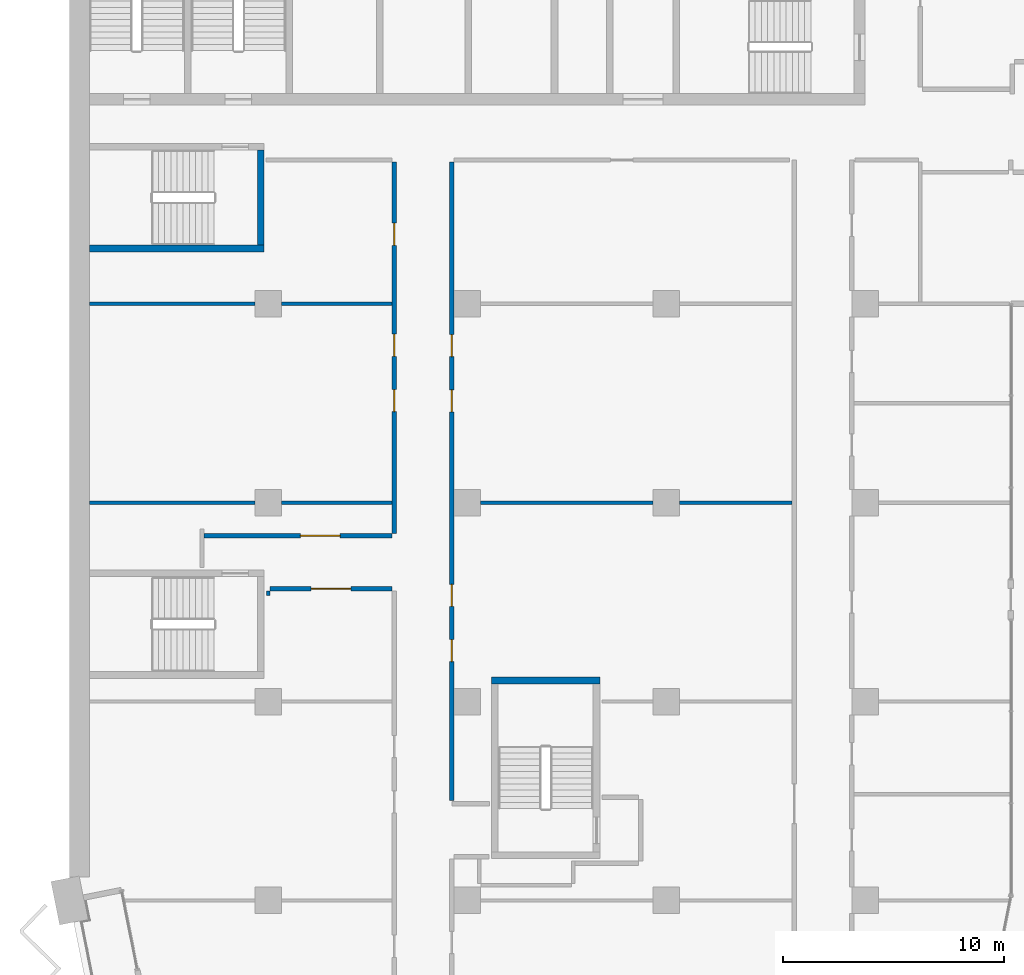
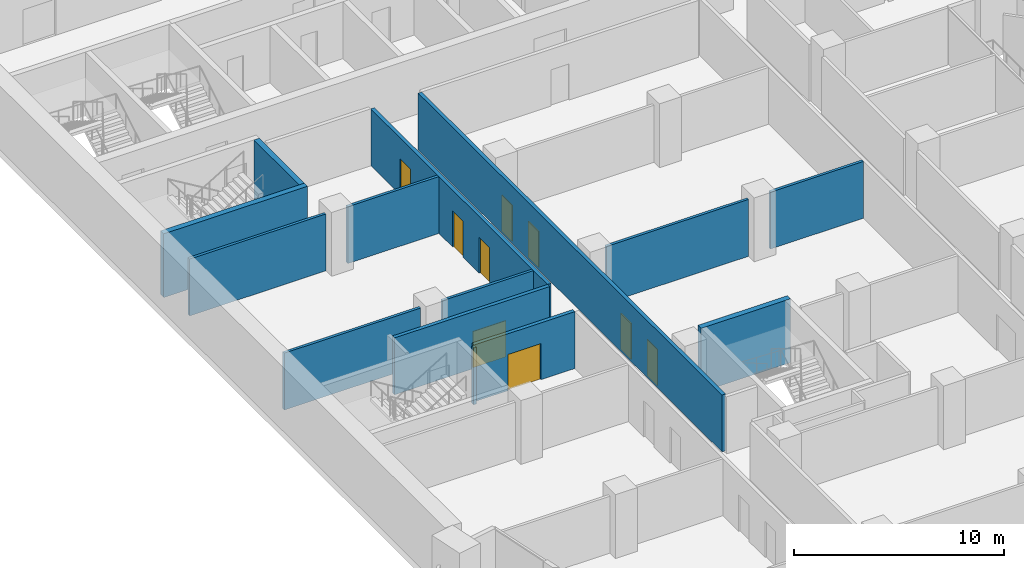
# One storey, part 10 of 22: 14 walls, 9 doors, 9 openings.
"""IFC4 building model written with IfcOpenShell, lengths in metres."""

import ifcopenshell
import ifcopenshell.guid

model = None  # the IFC model being written
_history = None  # IfcOwnerHistory: only IFC2X3 demands one
_inside = {}  # id of a spatial element -> (the spatial element, [elements in it])
_under = {}  # id of a project, library or spatial element -> (it, [spatial elements below it])
_declared = {}  # id of a project -> (the project, [libraries it declares])
_typed = {}  # id of a type object -> (the type object, [elements of that type])
_made_of = {}  # id of a material, layer set ... -> (it, [elements and type objects made of it])


def new_model(schema):
    """Start an empty IFC model of exactly this schema.

    Asked for "IFC4X3", IfcOpenShell would pick the latest addendum, in which some entities
    have other attributes; the version numbers below select the first issue.
    IFC2X3 requires an IfcOwnerHistory on every rooted entity: one is made here for all.
    """
    global model, _history
    if schema == "IFC4X3":
        model = ifcopenshell.file(schema_version=(4, 3, 0, 0))
    else:
        model = ifcopenshell.file(schema=schema)
    _inside.clear()
    _under.clear()
    _declared.clear()
    _typed.clear()
    _made_of.clear()
    _history = None
    if model.schema == "IFC2X3":
        org = make("IfcOrganization", Name="unknown")
        user = make(
            "IfcPersonAndOrganization",
            ThePerson=make("IfcPerson", FamilyName="unknown"),
            TheOrganization=org,
        )
        app = make(
            "IfcApplication",
            ApplicationDeveloper=org,
            Version="unknown",
            ApplicationFullName="unknown",
            ApplicationIdentifier="unknown",
        )
        _history = make(
            "IfcOwnerHistory",
            OwningUser=user,
            OwningApplication=app,
            ChangeAction="ADDED",
            CreationDate=0,
        )
    return model


def make(cls, **values):
    """One entity of the class cls with the attributes given. An attribute that is None is left unset."""
    return model.create_entity(
        cls, **{name: value for name, value in values.items() if value is not None}
    )


def rooted(cls, **values):
    """An entity with a GlobalId (a new one), such as an element, a storey or a relation."""
    return make(cls, GlobalId=ifcopenshell.guid.new(), OwnerHistory=_history, **values)


def si_unit(unit_type, name, prefix=None):
    """IfcSIUnit, for example si_unit("LENGTHUNIT", "METRE", prefix="MILLI")."""
    return make("IfcSIUnit", UnitType=unit_type, Prefix=prefix, Name=name)


def assignment(units):
    """IfcUnitAssignment: the units of a project."""
    return None if units is None else make("IfcUnitAssignment", Units=units)


def point(xyz):
    """IfcCartesianPoint."""
    return None if xyz is None else make("IfcCartesianPoint", Coordinates=xyz)


def direction(xyz):
    """IfcDirection."""
    return None if xyz is None else make("IfcDirection", DirectionRatios=xyz)


def frame(location, z_axis=None, x_axis=None):
    """IfcAxis2Placement3D, a coordinate frame: its origin and axes. An axis left out is left unset."""
    return make(
        "IfcAxis2Placement3D",
        Location=point(location),
        Axis=direction(z_axis),
        RefDirection=direction(x_axis),
    )


def frame_2d(location, x_axis=None):
    """IfcAxis2Placement2D, a coordinate frame in the plane: its origin and x axis."""
    return make(
        "IfcAxis2Placement2D", Location=point(location), RefDirection=direction(x_axis)
    )


def origin():
    """The frame at (0, 0, 0) with its axes left unset."""
    return frame((0.0, 0.0, 0.0))


def place(relative_to, where):
    """IfcLocalPlacement: puts the frame where relative to a parent placement (None: the world)."""
    return make(
        "IfcLocalPlacement", PlacementRelTo=relative_to, RelativePlacement=where
    )


def context(
    kind, dimensions, precision=None, world=None, true_north=None, identifier=None
):
    """IfcGeometricRepresentationContext, for example the 3D "Model" context."""
    return make(
        "IfcGeometricRepresentationContext",
        ContextIdentifier=identifier,
        ContextType=kind,
        CoordinateSpaceDimension=dimensions,
        Precision=precision,
        WorldCoordinateSystem=world,
        TrueNorth=true_north,
    )


def subcontext(parent, identifier, kind, view, scale=None):
    """IfcGeometricRepresentationSubContext, for example "Body" below "Model"."""
    return make(
        "IfcGeometricRepresentationSubContext",
        ContextIdentifier=identifier,
        ContextType=kind,
        ParentContext=parent,
        TargetScale=scale,
        TargetView=view,
    )


def project(units=None, contexts=None):
    """IfcProject with its units and contexts."""
    return rooted(
        "IfcProject",
        Name="project",
        RepresentationContexts=contexts,
        UnitsInContext=assignment(units),
    )


def spatial(cls, under=None, at=None, **own):
    """A site, building, storey or space (cls), placed at a placement, below another one or the project."""
    s = rooted(cls, ObjectPlacement=at, **own)
    if under is not None:
        _under.setdefault(under.id(), (under, []))[1].append(s)
    return s


def profile(cls, at=None, kind="AREA", **sizes):
    """A parametric profile (cls). Its sizes go by their IFC names, for example OverallWidth=200.0."""
    return make(cls, ProfileType=kind, Position=at, **sizes)


def rectangle(**sizes):
    """IfcRectangleProfileDef."""
    return profile("IfcRectangleProfileDef", **sizes)


def extrude(swept, where, along, depth):
    """IfcExtrudedAreaSolid: the profile swept, set in the frame where, extruded along a direction by depth."""
    return make(
        "IfcExtrudedAreaSolid",
        SweptArea=swept,
        Position=where,
        ExtrudedDirection=direction(along),
        Depth=depth,
    )


def shape(context_of_items, identifier, shape_type, items):
    """IfcShapeRepresentation: the items that make up one representation, for example the "Body"."""
    return make(
        "IfcShapeRepresentation",
        ContextOfItems=context_of_items,
        RepresentationIdentifier=identifier,
        RepresentationType=shape_type,
        Items=items,
    )


def material(Name=None, Category=None):
    """IfcMaterial."""
    return make("IfcMaterial", Name=Name, Category=Category)


def layer(
    of_material, thickness, ventilated=None, Name=None, Category=None, Priority=None
):
    """IfcMaterialLayer: one layer of a wall or slab, of a material (None: an air gap)."""
    return make(
        "IfcMaterialLayer",
        Material=of_material,
        LayerThickness=thickness,
        IsVentilated=ventilated,
        Name=Name,
        Category=Category,
        Priority=Priority,
    )


def layer_set(layers, Name=None):
    """IfcMaterialLayerSet."""
    return make("IfcMaterialLayerSet", MaterialLayers=layers, LayerSetName=Name)


def made_of(thing, what):
    """Note that an element or type object is made of a material, layer set ...; save() writes the relation."""
    if what is not None:
        _made_of.setdefault(what.id(), (what, []))[1].append(thing)
    return thing


def type_object(cls, material=None, **own):
    """A type object (cls), such as IfcWallType, which elements share."""
    return made_of(rooted(cls, **own), material)


def element(
    cls,
    number,
    at=None,
    inside=None,
    cuts=None,
    type_object=None,
    material=None,
    context=None,
    identifier="Body",
    shape_type=None,
    held_by="IfcProductDefinitionShape",
    body=None,
    shapes=None,
    **own,
):
    """One element of the class cls, such as IfcWall. Its Tag is "e" and its number.

    at: its placement. inside: the storey or other place that contains it. cuts: it is an
    opening in that element (IfcRelVoidsElement). A single representation is given by context,
    identifier, shape_type and body (its items); several are given by shapes. held_by: the class
    of the entity that holds the representations. save() writes the other relations.
    """
    e = rooted(cls, Tag="e%d" % number, ObjectPlacement=at, **own)
    if body is not None:
        shapes = [shape(context, identifier, shape_type, body)]
    if shapes is not None:
        e.Representation = make(held_by, Representations=shapes)
    if inside is not None:
        _inside.setdefault(inside.id(), (inside, []))[1].append(e)
    if cuts is not None:
        rooted(
            "IfcRelVoidsElement", RelatingBuildingElement=cuts, RelatedOpeningElement=e
        )
    if type_object is not None:
        _typed.setdefault(type_object.id(), (type_object, []))[1].append(e)
    return made_of(e, material)


def fill(opening, filler):
    """IfcRelFillsElement: the door or window that sits in an opening."""
    return rooted(
        "IfcRelFillsElement",
        RelatingOpeningElement=opening,
        RelatedBuildingElement=filler,
    )


def aggregate(whole, parts):
    """IfcRelAggregates: a whole, such as a stair, and the parts it consists of."""
    return rooted("IfcRelAggregates", RelatingObject=whole, RelatedObjects=parts)


def save(model, path):
    """Write the relations noted so far, then the file.

    IfcRelAggregates (storeys below a building ...), IfcRelContainedInSpatialStructure (elements
    in a storey), IfcRelDefinesByType, IfcRelAssociatesMaterial and IfcRelDeclares: one each for
    every whole, place, type object, material and project.
    """
    for whole, parts in _under.values():
        aggregate(whole, parts)
    for where, things in _inside.values():
        rooted(
            "IfcRelContainedInSpatialStructure",
            RelatedElements=things,
            RelatingStructure=where,
        )
    for kind, things in _typed.values():
        rooted("IfcRelDefinesByType", RelatedObjects=things, RelatingType=kind)
    for what, things in _made_of.values():
        rooted("IfcRelAssociatesMaterial", RelatedObjects=things, RelatingMaterial=what)
    for by, libraries in _declared.values():
        rooted("IfcRelDeclares", RelatingContext=by, RelatedDefinitions=libraries)
    model.write(path)


model = new_model("IFC4")

# Units and contexts
model_context = context("Model", 3, precision=1e-05, world=origin(), true_north=direction((0.0, 1.0)))
body_context = subcontext(model_context, "Body", "Model", "MODEL_VIEW")
ifc_project = project(units=[si_unit("LENGTHUNIT", "METRE"), si_unit("AREAUNIT", "SQUARE_METRE"), si_unit("VOLUMEUNIT", "CUBIC_METRE"), si_unit("PLANEANGLEUNIT", "RADIAN"), si_unit("MASSUNIT", "GRAM", prefix="KILO")], contexts=[model_context])

# Site, building, storey
site_placement = place(None, origin())
site = spatial("IfcSite", under=ifc_project, at=site_placement, CompositionType="ELEMENT")
building_placement = place(site_placement, origin())
building = spatial("IfcBuilding", under=site, at=building_placement, Name="Hunhe Ridgeline Campus", CompositionType="ELEMENT")
storey_placement = place(building_placement, frame((0.0, 0.0, 133.800048828125)))
storey = spatial("IfcBuildingStorey", under=building, at=storey_placement, Name="L33", CompositionType="ELEMENT", Elevation=133.800048828125)

# Wall, opening, door
ifc_material_1 = material(Name="Gypsum board partition")
ifc_layer_1 = layer(ifc_material_1, 0.199951171875)
ifc_layer_set_1 = layer_set([ifc_layer_1], Name="Corridor partition 200 gypsum board on steel studs")
wall_type_1 = type_object("IfcWallType", Name="Corridor partition 200 gypsum board on steel studs", PredefinedType="PARTITIONING", material=ifc_layer_set_1)
wall_1_placement = place(storey_placement, frame((14.60009765625, 41.10009765625, 0.0), z_axis=(0.0, 0.0, 1.0), x_axis=(-1.0, 0.0, 0.0)))
wall_1 = element("IfcWall", 1, at=wall_1_placement, inside=storey, type_object=wall_type_1, Name="F-L33-wall-023", PredefinedType="PARTITIONING", context=body_context, shape_type="SweptSolid", body=[
    extrude(rectangle(XDim=5.525146484375, YDim=0.199951171875, at=frame_2d((2.7626953125, 0.0))), origin(), (0.0, 0.0, 1.0), 3.300048828125),
])
opening_1_placement = place(wall_1_placement, frame((1.862548828125, 0.0, 0.0)))
opening_1 = element("IfcOpeningElement", 2, at=opening_1_placement, cuts=wall_1, Name="Opening RD2-019", PredefinedType="OPENING", context=body_context, shape_type="SweptSolid", body=[
    extrude(rectangle(XDim=1.800048828125, YDim=2.10009765625, at=frame_2d((0.89990234375, 1.050048828125))), frame((0.0, 0.10009765625, 0.0), z_axis=(0.0, -1.0, 0.0), x_axis=(1.0, 0.0, 0.0)), (0.0, 0.0, 1.0), 0.199951171875),
])
ifc_material_2 = material(Name="Timber door leaf", Category="wood")
door_type_1 = type_object("IfcDoorType", Name="Double fire door 1800x2100 timber FD60", OperationType="DOUBLE_DOOR_SINGLE_SWING", PredefinedType="DOOR", material=ifc_material_2)
door_1_placement = place(opening_1_placement, origin())
door_1 = element("IfcDoor", 3, at=door_1_placement, inside=storey, type_object=door_type_1, Name="F-L33-door-019", OperationType="DOUBLE_DOOR_SINGLE_SWING", OverallHeight=2.10009765625, OverallWidth=1.800048828125, PredefinedType="DOOR", context=body_context, shape_type="SweptSolid", body=[
    extrude(rectangle(XDim=1.800048828125, YDim=2.10009765625, at=frame_2d((0.89990234375, 1.050048828125))), frame((0.0, 0.02490234375, 0.0), z_axis=(0.0, -1.0, 0.0), x_axis=(1.0, 0.0, 0.0)), (0.0, 0.0, 1.0), 0.050048828125),
])
fill(opening_1, door_1)

wall_2_placement = place(storey_placement, frame((6.10009765625, 43.5, 0.0), z_axis=(0.0, 0.0, 1.0), x_axis=(1.0, 0.0, 0.0)))
wall_2 = element("IfcWall", 4, at=wall_2_placement, inside=storey, type_object=wall_type_1, Name="F-L33-wall-024", PredefinedType="PARTITIONING", context=body_context, shape_type="SweptSolid", body=[
    extrude(rectangle(XDim=8.5, YDim=0.199951171875, at=frame_2d((4.25, 0.0))), origin(), (0.0, 0.0, 1.0), 3.300048828125),
])
opening_2_placement = place(wall_2_placement, frame((4.35009765625, 0.0, 0.0)))
opening_2 = element("IfcOpeningElement", 5, at=opening_2_placement, cuts=wall_2, Name="Opening RD2-020", PredefinedType="OPENING", context=body_context, shape_type="SweptSolid", body=[
    extrude(rectangle(XDim=1.800048828125, YDim=2.10009765625, at=frame_2d((0.89990234375, 1.050048828125))), frame((0.0, 0.10009765625, 0.0), z_axis=(0.0, -1.0, 0.0), x_axis=(1.0, 0.0, 0.0)), (0.0, 0.0, 1.0), 0.199951171875),
])
door_2_placement = place(opening_2_placement, origin())
door_2 = element("IfcDoor", 6, at=door_2_placement, inside=storey, type_object=door_type_1, Name="F-L33-door-020", OperationType="DOUBLE_DOOR_SINGLE_SWING", OverallHeight=2.10009765625, OverallWidth=1.800048828125, PredefinedType="DOOR", context=body_context, shape_type="SweptSolid", body=[
    extrude(rectangle(XDim=1.800048828125, YDim=2.10009765625, at=frame_2d((0.89990234375, 1.050048828125))), frame((0.0, 0.02490234375, 0.0), z_axis=(0.0, -1.0, 0.0), x_axis=(1.0, 0.0, 0.0)), (0.0, 0.0, 1.0), 0.050048828125),
])
fill(opening_2, door_2)

# Wall, openings, doors
wall_3_placement = place(storey_placement, frame((14.699951171875, 43.60009765625, 0.0), z_axis=(0.0, 0.0, 1.0), x_axis=(0.0, 1.0, 0.0)))
wall_3 = element("IfcWall", 7, at=wall_3_placement, inside=storey, type_object=wall_type_1, Name="F-L33-wall-062", PredefinedType="PARTITIONING", context=body_context, shape_type="SweptSolid", body=[
    extrude(rectangle(XDim=16.7998046875, YDim=0.199951171875, at=frame_2d((8.39990234375, 0.0))), origin(), (0.0, 0.0, 1.0), 3.300048828125),
])
opening_3_placement = place(wall_3_placement, frame((5.517822265625, 0.0, 0.0)))
opening_3 = element("IfcOpeningElement", 8, at=opening_3_placement, cuts=wall_3, Name="Opening RD1-022", PredefinedType="OPENING", context=body_context, shape_type="SweptSolid", body=[
    extrude(rectangle(XDim=1.0, YDim=2.10009765625, at=frame_2d((0.5, 1.050048828125))), frame((0.0, 0.10009765625, 0.0), z_axis=(0.0, -1.0, 0.0), x_axis=(1.0, 0.0, 0.0)), (0.0, 0.0, 1.0), 0.199951171875),
])
opening_4_placement = place(wall_3_placement, frame((8.017822265625, 0.0, 0.0)))
opening_4 = element("IfcOpeningElement", 9, at=opening_4_placement, cuts=wall_3, Name="Opening RD1-025", PredefinedType="OPENING", context=body_context, shape_type="SweptSolid", body=[
    extrude(rectangle(XDim=1.0, YDim=2.10009765625, at=frame_2d((0.5, 1.050048828125))), frame((0.0, 0.10009765625, 0.0), z_axis=(0.0, -1.0, 0.0), x_axis=(1.0, 0.0, 0.0)), (0.0, 0.0, 1.0), 0.199951171875),
])
opening_5_placement = place(wall_3_placement, frame((13.040283203125, 0.0, 0.0)))
opening_5 = element("IfcOpeningElement", 10, at=opening_5_placement, cuts=wall_3, Name="Opening RD1-027", PredefinedType="OPENING", context=body_context, shape_type="SweptSolid", body=[
    extrude(rectangle(XDim=1.0, YDim=2.10009765625, at=frame_2d((0.5, 1.050048828125))), frame((0.0, 0.10009765625, 0.0), z_axis=(0.0, -1.0, 0.0), x_axis=(1.0, 0.0, 0.0)), (0.0, 0.0, 1.0), 0.199951171875),
])
door_type_2 = type_object("IfcDoorType", Name="Single fire door 1000x2100 timber FD60", OperationType="NOTDEFINED", PredefinedType="DOOR", material=ifc_material_2)
door_3_placement = place(opening_3_placement, frame((1.0, 0.0, 0.0), z_axis=(0.0, 0.0, 1.0), x_axis=(-1.0, 0.0, 0.0)))
door_3 = element("IfcDoor", 11, at=door_3_placement, inside=storey, type_object=door_type_2, Name="F-L33-door-022", OperationType="SINGLE_SWING_LEFT", OverallHeight=2.10009765625, OverallWidth=1.0, PredefinedType="DOOR", context=body_context, shape_type="SweptSolid", body=[
    extrude(rectangle(XDim=1.0, YDim=2.10009765625, at=frame_2d((0.5, 1.050048828125))), frame((0.0, 0.02490234375, 0.0), z_axis=(0.0, -1.0, 0.0), x_axis=(1.0, 0.0, 0.0)), (0.0, 0.0, 1.0), 0.050048828125),
])
fill(opening_3, door_3)
door_4_placement = place(opening_4_placement, frame((1.0, 0.0, 0.0), z_axis=(0.0, 0.0, 1.0), x_axis=(-1.0, 0.0, 0.0)))
door_4 = element("IfcDoor", 12, at=door_4_placement, inside=storey, type_object=door_type_2, Name="F-L33-door-025", OperationType="SINGLE_SWING_LEFT", OverallHeight=2.10009765625, OverallWidth=1.0, PredefinedType="DOOR", context=body_context, shape_type="SweptSolid", body=[
    extrude(rectangle(XDim=1.0, YDim=2.10009765625, at=frame_2d((0.5, 1.050048828125))), frame((0.0, 0.02490234375, 0.0), z_axis=(0.0, -1.0, 0.0), x_axis=(1.0, 0.0, 0.0)), (0.0, 0.0, 1.0), 0.050048828125),
])
fill(opening_4, door_4)
door_5_placement = place(opening_5_placement, origin())
door_5 = element("IfcDoor", 13, at=door_5_placement, inside=storey, type_object=door_type_2, Name="F-L33-door-027", OperationType="SINGLE_SWING_RIGHT", OverallHeight=2.10009765625, OverallWidth=1.0, PredefinedType="DOOR", context=body_context, shape_type="SweptSolid", body=[
    extrude(rectangle(XDim=1.0, YDim=2.10009765625, at=frame_2d((0.5, 1.050048828125))), frame((0.0, 0.02490234375, 0.0), z_axis=(0.0, -1.0, 0.0), x_axis=(1.0, 0.0, 0.0)), (0.0, 0.0, 1.0), 0.050048828125),
])
fill(opening_5, door_5)

wall_4_placement = place(storey_placement, frame((17.300048828125, 60.39990234375, 0.0), z_axis=(0.0, 0.0, 1.0), x_axis=(0.0, -1.0, 0.0)))
wall_4 = element("IfcWall", 14, at=wall_4_placement, inside=storey, type_object=wall_type_1, Name="F-L33-wall-064", PredefinedType="PARTITIONING", context=body_context, shape_type="SweptSolid", body=[
    extrude(rectangle(XDim=28.879150390625, YDim=0.199951171875, at=frame_2d((14.439453125, 0.0))), origin(), (0.0, 0.0, 1.0), 3.300048828125),
])
opening_6_placement = place(wall_4_placement, frame((21.59912109375, 0.0, 0.0)))
opening_6 = element("IfcOpeningElement", 15, at=opening_6_placement, cuts=wall_4, Name="Opening RD1-016", PredefinedType="OPENING", context=body_context, shape_type="SweptSolid", body=[
    extrude(rectangle(XDim=1.0, YDim=2.10009765625, at=frame_2d((0.5, 1.050048828125))), frame((0.0, 0.10009765625, 0.0), z_axis=(0.0, -1.0, 0.0), x_axis=(1.0, 0.0, 0.0)), (0.0, 0.0, 1.0), 0.199951171875),
])
opening_7_placement = place(wall_4_placement, frame((19.09912109375, 0.0, 0.0)))
opening_7 = element("IfcOpeningElement", 16, at=opening_7_placement, cuts=wall_4, Name="Opening RD1-018", PredefinedType="OPENING", context=body_context, shape_type="SweptSolid", body=[
    extrude(rectangle(XDim=1.0, YDim=2.10009765625, at=frame_2d((0.5, 1.050048828125))), frame((0.0, 0.10009765625, 0.0), z_axis=(0.0, -1.0, 0.0), x_axis=(1.0, 0.0, 0.0)), (0.0, 0.0, 1.0), 0.199951171875),
])
opening_8_placement = place(wall_4_placement, frame((10.29833984375, 0.0, 0.0)))
opening_8 = element("IfcOpeningElement", 17, at=opening_8_placement, cuts=wall_4, Name="Opening RD1-023", PredefinedType="OPENING", context=body_context, shape_type="SweptSolid", body=[
    extrude(rectangle(XDim=1.0, YDim=2.10009765625, at=frame_2d((0.5, 1.050048828125))), frame((0.0, 0.10009765625, 0.0), z_axis=(0.0, -1.0, 0.0), x_axis=(1.0, 0.0, 0.0)), (0.0, 0.0, 1.0), 0.199951171875),
])
opening_9_placement = place(wall_4_placement, frame((7.79833984375, 0.0, 0.0)))
opening_9 = element("IfcOpeningElement", 18, at=opening_9_placement, cuts=wall_4, Name="Opening RD1-026", PredefinedType="OPENING", context=body_context, shape_type="SweptSolid", body=[
    extrude(rectangle(XDim=1.0, YDim=2.10009765625, at=frame_2d((0.5, 1.050048828125))), frame((0.0, 0.10009765625, 0.0), z_axis=(0.0, -1.0, 0.0), x_axis=(1.0, 0.0, 0.0)), (0.0, 0.0, 1.0), 0.199951171875),
])
door_6_placement = place(opening_6_placement, frame((1.0, 0.0, 0.0), z_axis=(0.0, 0.0, 1.0), x_axis=(-1.0, 0.0, 0.0)))
door_6 = element("IfcDoor", 19, at=door_6_placement, inside=storey, type_object=door_type_2, Name="F-L33-door-016", OperationType="SINGLE_SWING_LEFT", OverallHeight=2.10009765625, OverallWidth=1.0, PredefinedType="DOOR", context=body_context, shape_type="SweptSolid", body=[
    extrude(rectangle(XDim=1.0, YDim=2.10009765625, at=frame_2d((0.5, 1.050048828125))), frame((0.0, 0.02490234375, 0.0), z_axis=(0.0, -1.0, 0.0), x_axis=(1.0, 0.0, 0.0)), (0.0, 0.0, 1.0), 0.050048828125),
])
fill(opening_6, door_6)
door_7_placement = place(opening_7_placement, frame((1.0, 0.0, 0.0), z_axis=(0.0, 0.0, 1.0), x_axis=(-1.0, 0.0, 0.0)))
door_7 = element("IfcDoor", 20, at=door_7_placement, inside=storey, type_object=door_type_2, Name="F-L33-door-018", OperationType="SINGLE_SWING_RIGHT", OverallHeight=2.10009765625, OverallWidth=1.0, PredefinedType="DOOR", context=body_context, shape_type="SweptSolid", body=[
    extrude(rectangle(XDim=1.0, YDim=2.10009765625, at=frame_2d((0.5, 1.050048828125))), frame((0.0, 0.02490234375, 0.0), z_axis=(0.0, -1.0, 0.0), x_axis=(1.0, 0.0, 0.0)), (0.0, 0.0, 1.0), 0.050048828125),
])
fill(opening_7, door_7)
door_8_placement = place(opening_8_placement, frame((1.0, 0.0, 0.0), z_axis=(0.0, 0.0, 1.0), x_axis=(-1.0, 0.0, 0.0)))
door_8 = element("IfcDoor", 21, at=door_8_placement, inside=storey, type_object=door_type_2, Name="F-L33-door-023", OperationType="SINGLE_SWING_LEFT", OverallHeight=2.10009765625, OverallWidth=1.0, PredefinedType="DOOR", context=body_context, shape_type="SweptSolid", body=[
    extrude(rectangle(XDim=1.0, YDim=2.10009765625, at=frame_2d((0.5, 1.050048828125))), frame((0.0, 0.02490234375, 0.0), z_axis=(0.0, -1.0, 0.0), x_axis=(1.0, 0.0, 0.0)), (0.0, 0.0, 1.0), 0.050048828125),
])
fill(opening_8, door_8)
door_9_placement = place(opening_9_placement, frame((1.0, 0.0, 0.0), z_axis=(0.0, 0.0, 1.0), x_axis=(-1.0, 0.0, 0.0)))
door_9 = element("IfcDoor", 22, at=door_9_placement, inside=storey, type_object=door_type_2, Name="F-L33-door-026", OperationType="SINGLE_SWING_RIGHT", OverallHeight=2.10009765625, OverallWidth=1.0, PredefinedType="DOOR", context=body_context, shape_type="SweptSolid", body=[
    extrude(rectangle(XDim=1.0, YDim=2.10009765625, at=frame_2d((0.5, 1.050048828125))), frame((0.0, 0.02490234375, 0.0), z_axis=(0.0, -1.0, 0.0), x_axis=(1.0, 0.0, 0.0)), (0.0, 0.0, 1.0), 0.050048828125),
])
fill(opening_9, door_9)

# Walls
ifc_layer_2 = layer(ifc_material_1, 0.14990234375)
ifc_layer_set_2 = layer_set([ifc_layer_2], Name="Room partition 150 gypsum board on steel studs")
wall_type_2 = type_object("IfcWallType", Name="Room partition 150 gypsum board on steel studs", PredefinedType="PARTITIONING", material=ifc_layer_set_2)
wall_5_placement = place(storey_placement, frame((0.919921875, 45.0, 0.0), z_axis=(0.0, 0.0, 1.0), x_axis=(1.0, 0.0, 0.0)))
element("IfcWall", 23, at=wall_5_placement, inside=storey, type_object=wall_type_2, Name="F-L33-wall-025", PredefinedType="PARTITIONING", context=body_context, shape_type="SweptSolid", body=[
    extrude(rectangle(XDim=7.47998046875, YDim=0.14990234375, at=frame_2d((3.739990234375, 0.0))), origin(), (0.0, 0.0, 1.0), 3.300048828125),
])
wall_6_placement = place(storey_placement, frame((9.60009765625, 45.0, 0.0), z_axis=(0.0, 0.0, 1.0), x_axis=(1.0, 0.0, 0.0)))
element("IfcWall", 24, at=wall_6_placement, inside=storey, type_object=wall_type_2, Name="F-L33-wall-026", PredefinedType="PARTITIONING", context=body_context, shape_type="SweptSolid", body=[
    extrude(rectangle(XDim=5.0, YDim=0.14990234375, at=frame_2d((2.5, 0.0))), origin(), (0.0, 0.0, 1.0), 3.300048828125),
])
wall_7_placement = place(storey_placement, frame((18.60009765625, 45.0, 0.0), z_axis=(0.0, 0.0, 1.0), x_axis=(1.0, 0.0, 0.0)))
element("IfcWall", 25, at=wall_7_placement, inside=storey, type_object=wall_type_2, Name="F-L33-wall-027", PredefinedType="PARTITIONING", context=body_context, shape_type="SweptSolid", body=[
    extrude(rectangle(XDim=7.7998046875, YDim=0.14990234375, at=frame_2d((3.89990234375, 0.0))), origin(), (0.0, 0.0, 1.0), 3.300048828125),
])
wall_8_placement = place(storey_placement, frame((27.60009765625, 45.0, 0.0), z_axis=(0.0, 0.0, 1.0), x_axis=(1.0, 0.0, 0.0)))
element("IfcWall", 26, at=wall_8_placement, inside=storey, type_object=wall_type_2, Name="F-L33-wall-028", PredefinedType="PARTITIONING", context=body_context, shape_type="SweptSolid", body=[
    extrude(rectangle(XDim=5.099853515625, YDim=0.14990234375, at=frame_2d((2.5498046875, 0.0))), origin(), (0.0, 0.0, 1.0), 3.300048828125),
])
wall_9_placement = place(storey_placement, frame((0.919921875, 54.0, 0.0), z_axis=(0.0, 0.0, 1.0), x_axis=(1.0, 0.0, 0.0)))
element("IfcWall", 27, at=wall_9_placement, inside=storey, type_object=wall_type_2, Name="F-L33-wall-031", PredefinedType="PARTITIONING", context=body_context, shape_type="SweptSolid", body=[
    extrude(rectangle(XDim=7.47998046875, YDim=0.14990234375, at=frame_2d((3.739990234375, 0.0))), origin(), (0.0, 0.0, 1.0), 3.300048828125),
])
wall_10_placement = place(storey_placement, frame((9.60009765625, 54.0, 0.0), z_axis=(0.0, 0.0, 1.0), x_axis=(1.0, 0.0, 0.0)))
element("IfcWall", 28, at=wall_10_placement, inside=storey, type_object=wall_type_2, Name="F-L33-wall-032", PredefinedType="PARTITIONING", context=body_context, shape_type="SweptSolid", body=[
    extrude(rectangle(XDim=5.0, YDim=0.14990234375, at=frame_2d((2.5, 0.0))), origin(), (0.0, 0.0, 1.0), 3.300048828125),
])
wall_11_placement = place(storey_placement, frame((9.0, 41.0, 0.0), z_axis=(0.0, 0.0, 1.0), x_axis=(0.0, -1.0, 0.0)))
element("IfcWall", 29, at=wall_11_placement, inside=storey, type_object=wall_type_2, Name="F-L33-wall-060", PredefinedType="PARTITIONING", context=body_context, shape_type="SweptSolid", body=[
    extrude(rectangle(XDim=0.199951171875, YDim=0.14990234375, at=frame_2d((0.10009765625, 0.0))), origin(), (0.0, 0.0, 1.0), 3.300048828125),
])
ifc_material_3 = material(Name="Concrete C70", Category="concrete")
ifc_layer_3 = layer(ifc_material_3, 0.300048828125)
ifc_layer_set_3 = layer_set([ifc_layer_3], Name="Stair wall 300 reinforced concrete C70")
wall_type_3 = type_object("IfcWallType", Name="Stair wall 300 reinforced concrete C70", PredefinedType="SOLIDWALL", material=ifc_layer_set_3)
wall_12_placement = place(storey_placement, frame((19.10009765625, 36.949951171875, -0.400146484375), z_axis=(0.0, 0.0, 1.0), x_axis=(1.0, 0.0, 0.0)))
element("IfcWall", 30, at=wall_12_placement, inside=storey, type_object=wall_type_3, Name="L33 core wall 2", PredefinedType="SOLIDWALL", context=body_context, shape_type="SweptSolid", body=[
    extrude(rectangle(XDim=4.89990234375, YDim=0.300048828125, at=frame_2d((2.449951171875, 0.0))), origin(), (0.0, 0.0, 1.0), 3.7001953125),
])
wall_13_placement = place(storey_placement, frame((0.89990234375, 56.5, -0.400146484375), z_axis=(0.0, 0.0, 1.0), x_axis=(1.0, 0.0, 0.0)))
element("IfcWall", 31, at=wall_13_placement, inside=storey, type_object=wall_type_3, Name="L33 core wall 5", PredefinedType="SOLIDWALL", context=body_context, shape_type="SweptSolid", body=[
    extrude(rectangle(XDim=7.900146484375, YDim=0.300048828125, at=frame_2d((3.9501953125, 0.0))), origin(), (0.0, 0.0, 1.0), 3.7001953125),
])
wall_14_placement = place(storey_placement, frame((8.64990234375, 56.64990234375, -0.400146484375), z_axis=(0.0, 0.0, 1.0), x_axis=(0.0, 1.0, 0.0)))
element("IfcWall", 32, at=wall_14_placement, inside=storey, type_object=wall_type_3, Name="L33 core wall 37", PredefinedType="SOLIDWALL", context=body_context, shape_type="SweptSolid", body=[
    extrude(rectangle(XDim=4.300048828125, YDim=0.300048828125, at=frame_2d((2.14990234375, 0.0))), origin(), (0.0, 0.0, 1.0), 3.7001953125),
])

save(model, "model.ifc")
